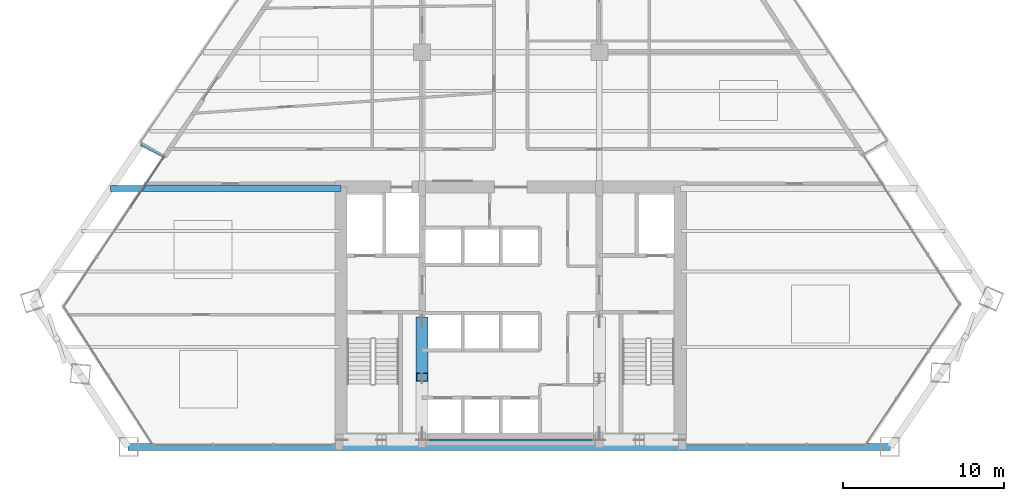
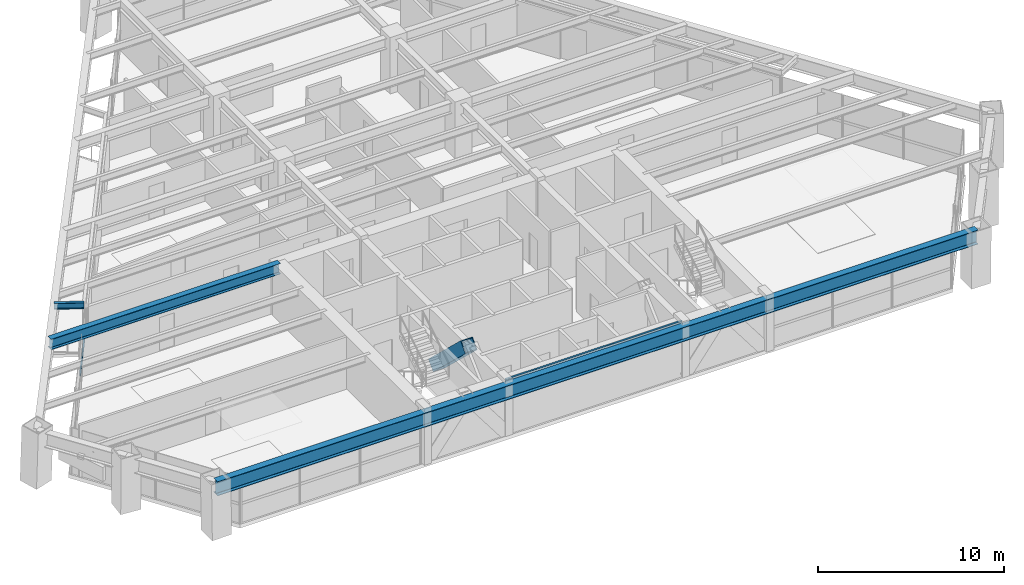
# One storey, part 3 of 14: 4 beams, 2 members, 1 element without a shape of its own.
"""IFC4 building model written with IfcOpenShell, lengths in metres."""

from ifc_helpers import new_model, si_unit, direction, frame, origin, origin_2d, place, context, subcontext, project, spatial, rectangle, hollow_rectangle, i_section, extrude, source, transform, mapped, material, material_profile, profile_set, type_object, type_shapes, element, aggregate, save


model = new_model("IFC4")

# Units and contexts
model_context = context("Model", 3, precision=1e-05, world=origin(), true_north=direction((0.0, 1.0)))
body_context = subcontext(model_context, "Body", "Model", "MODEL_VIEW")
ifc_project = project(units=[si_unit("LENGTHUNIT", "METRE"), si_unit("AREAUNIT", "SQUARE_METRE"), si_unit("VOLUMEUNIT", "CUBIC_METRE"), si_unit("PLANEANGLEUNIT", "RADIAN"), si_unit("MASSUNIT", "GRAM", prefix="KILO")], contexts=[model_context])

# Site, building, storey
site_placement = place(None, origin())
site = spatial("IfcSite", under=ifc_project, at=site_placement, CompositionType="ELEMENT")
building_placement = place(site_placement, origin())
building = spatial("IfcBuilding", under=site, at=building_placement, Name="Varnakhor Terracotta Tower", CompositionType="ELEMENT")
storey_placement = place(building_placement, frame((0.0, 0.0, 102.5)))
storey = spatial("IfcBuildingStorey", under=building, at=storey_placement, Name="L25", CompositionType="ELEMENT", Elevation=102.5)

# Beam
ifc_material_1 = material(Name="Steel S355", Category="steel")
ifc_material_profile_1 = material_profile(ifc_material_1, i_section(OverallWidth=0.1201171875, OverallDepth=0.239990234375, WebThickness=0.006103515625, FlangeThickness=0.009765625, FilletRadius=0.01806640625, at=origin_2d()), Name="IPE240")
ifc_profile_set_1 = profile_set([ifc_material_profile_1], Name="Steel S355")
beam_type_1 = type_object("IfcBeamType", Name="LNT-IPE240", PredefinedType="LINTEL", material=ifc_profile_set_1)
shared_shape_1 = source(origin(), body_context, "Body", "SweptSolid", [
    extrude(i_section(OverallWidth=0.1201171875, OverallDepth=0.239990234375, WebThickness=0.006103515625, FlangeThickness=0.009765625, FilletRadius=0.01806640625, at=origin_2d()), origin(), (0.0, 0.0, 1.0), 11.0),
])
type_shapes(beam_type_1, [shared_shape_1])
beam_1_placement = place(storey_placement, frame((-5.5, 0.419921875, 3.330078125), z_axis=(1.0, 0.0, 0.0), x_axis=(0.0, 1.0, 0.0)))
element("IfcBeam", 1, at=beam_1_placement, inside=storey, type_object=beam_type_1, Name="L25 Core South Coupling Lintel", PredefinedType="LINTEL", context=body_context, shape_type="MappedRepresentation", body=[
    mapped(shared_shape_1, transform((0.0, 0.0, 0.0), scale=1.0)),
])

# Member
ifc_material_2 = material(Name="Steel S460", Category="steel")
ifc_material_profile_2 = material_profile(ifc_material_2, hollow_rectangle(XDim=0.75, YDim=0.75, WallThickness=0.044921875, at=origin_2d()), Name="HSS750X750X45")
ifc_profile_set_2 = profile_set([ifc_material_profile_2], Name="Steel S460")
member_type_1 = type_object("IfcMemberType", Name="MBR-MEGA-750", PredefinedType="BRACE", material=ifc_profile_set_2)
shared_shape_2 = source(origin(), body_context, "Body", "SweptSolid", [
    extrude(hollow_rectangle(XDim=0.75, YDim=0.75, WallThickness=0.044921875, at=origin_2d()), origin(), (0.0, 0.0, 1.0), 4.792236328125),
])
member_1_placement = place(storey_placement, frame((-5.5, 7.800048828125, 0.0), z_axis=(0.0, -0.72513424341, 0.688607529028), x_axis=(1.0, 0.0, 0.0)))
element("IfcMember", 2, at=member_1_placement, inside=storey, type_object=member_type_1, Name="L25 Core Coupled Brace CWWB", PredefinedType="BRACE", context=body_context, shape_type="MappedRepresentation", body=[
    mapped(shared_shape_2, transform((0.0, 0.0, 0.0), scale=1.0)),
])

# Beams
ifc_material_profile_3 = material_profile(ifc_material_1, i_section(OverallWidth=0.41796875, OverallDepth=0.927001953125, WebThickness=0.01904296875, FlangeThickness=0.031982421875, FilletRadius=0.01806640625, at=origin_2d()), Name="W36X231")
ifc_profile_set_3 = profile_set([ifc_material_profile_3], Name="Steel S355")
beam_type_2 = type_object("IfcBeamType", Name="BM-W36X231", PredefinedType="BEAM", material=ifc_profile_set_3)
shared_shape_3 = source(origin(), body_context, "Body", "SweptSolid", [
    extrude(i_section(OverallWidth=0.41796875, OverallDepth=0.927001953125, WebThickness=0.01904296875, FlangeThickness=0.031982421875, FilletRadius=0.01806640625, at=origin_2d()), origin(), (0.0, 0.0, 1.0), 47.32958984375),
])
beam_2_placement = place(storey_placement, frame((-23.76171875, 0.0, 2.986572265625), z_axis=(1.0, 0.0, 0.0), x_axis=(0.0, 1.0, 0.0)))
element("IfcBeam", 3, at=beam_2_placement, inside=storey, type_object=beam_type_2, Name="L25 Perimeter Spandrel 1", PredefinedType="BEAM", context=body_context, shape_type="MappedRepresentation", body=[
    mapped(shared_shape_3, transform((0.0, 0.0, 0.0), scale=1.0)),
])
ifc_material_profile_4 = material_profile(ifc_material_1, i_section(OverallWidth=0.35498046875, OverallDepth=0.695068359375, WebThickness=0.014892578125, FlangeThickness=0.02490234375, FilletRadius=0.01806640625, at=origin_2d()), Name="W27X146")
ifc_profile_set_4 = profile_set([ifc_material_profile_4], Name="Steel S355")
beam_type_3 = type_object("IfcBeamType", Name="BM-W27X146", PredefinedType="BEAM", material=ifc_profile_set_4)
shared_shape_4 = source(origin(), body_context, "Body", "SweptSolid", [
    extrude(i_section(OverallWidth=0.35498046875, OverallDepth=0.695068359375, WebThickness=0.014892578125, FlangeThickness=0.02490234375, FilletRadius=0.01806640625, at=origin_2d()), origin(), (0.0, 0.0, 1.0), 14.282470703125),
])
beam_3_placement = place(storey_placement, frame((-24.83251953125, 16.050048828125, 3.1025390625), z_axis=(1.0, 0.0, 0.0), x_axis=(0.0, 1.0, 0.0)))
element("IfcBeam", 4, at=beam_3_placement, inside=storey, type_object=beam_type_3, Name="L25 Wing Girder W", PredefinedType="BEAM", context=body_context, shape_type="MappedRepresentation", body=[
    mapped(shared_shape_4, transform((0.0, 0.0, 0.0), scale=1.0)),
])

# Curtain wall, member
ifc_material_3 = material(Name="Anodised Aluminium Curtain Wall System", Category="aluminium")
curtain_wall_type = type_object("IfcCurtainWallType", Name="CW-SYS-LOW-OFFICE", PredefinedType="NOTDEFINED", material=ifc_material_3)
curtain_wall_placement = place(storey_placement, origin())
curtain_wall = element("IfcCurtainWall", 5, at=curtain_wall_placement, inside=storey, type_object=curtain_wall_type, Name="L25 W Facet Curtain Wall 1", PredefinedType="NOTDEFINED")
ifc_material_4 = material(Name="Anodised Aluminium 6063-T6", Category="aluminium")
ifc_material_profile_5 = material_profile(ifc_material_4, rectangle(XDim=0.074951171875, YDim=0.1650390625, at=origin_2d()), Name="ALU TRANSOM 75x165")
ifc_profile_set_5 = profile_set([ifc_material_profile_5], Name="Anodised Aluminium 6063-T6")
member_type_2 = type_object("IfcMemberType", Name="CWT-02", PredefinedType="USERDEFINED", material=ifc_profile_set_5)
shared_shape_5 = source(origin(), body_context, "Body", "SweptSolid", [
    extrude(rectangle(XDim=0.074951171875, YDim=0.1650390625, at=origin_2d()), origin(), (0.0, 0.0, 1.0), 3.74853515625),
])
member_2_placement = place(storey_placement, frame((-23.594482421875, 14.909912109375, 1.272705078125), z_axis=(0.556517441149, 0.830835927062, 0.0), x_axis=(-0.830835927062, 0.556517441149, 0.0)))
member_2 = element("IfcMember", 6, at=member_2_placement, type_object=member_type_2, Name="L25 W Facet Curtain Wall 1 Transom 3", ObjectType="TRANSOM", PredefinedType="USERDEFINED", context=body_context, shape_type="MappedRepresentation", body=[
    mapped(shared_shape_5, transform((0.0, 0.0, 0.0), scale=1.0)),
])
aggregate(curtain_wall, [member_2])

# Beam
ifc_material_profile_6 = material_profile(ifc_material_1, i_section(OverallWidth=0.179931640625, OverallDepth=0.39990234375, WebThickness=0.008544921875, FlangeThickness=0.013427734375, FilletRadius=0.01806640625, at=origin_2d()), Name="IPE400")
ifc_profile_set_6 = profile_set([ifc_material_profile_6], Name="Steel S355")
beam_type_4 = type_object("IfcBeamType", Name="JST-IPE400", PredefinedType="JOIST", material=ifc_profile_set_6)
shared_shape_6 = source(origin(), body_context, "Body", "SweptSolid", [
    extrude(i_section(OverallWidth=0.179931640625, OverallDepth=0.39990234375, WebThickness=0.008544921875, FlangeThickness=0.013427734375, FilletRadius=0.01806640625, at=origin_2d()), origin(), (0.0, 0.0, 1.0), 1.61376953125),
])
beam_4_placement = place(storey_placement, frame((-21.53466796875, 18.0361328125, 3.25), z_axis=(-0.883047153875, 0.46928426783, 0.0), x_axis=(-0.46928426783, -0.883047153875, 0.0)))
element("IfcBeam", 7, at=beam_4_placement, inside=storey, type_object=beam_type_4, Name="L26 W Loggia Tie Beam 1", PredefinedType="JOIST", context=body_context, shape_type="MappedRepresentation", body=[
    mapped(shared_shape_6, transform((0.0, 0.0, 0.0), scale=1.0)),
])

save(model, "model.ifc")
